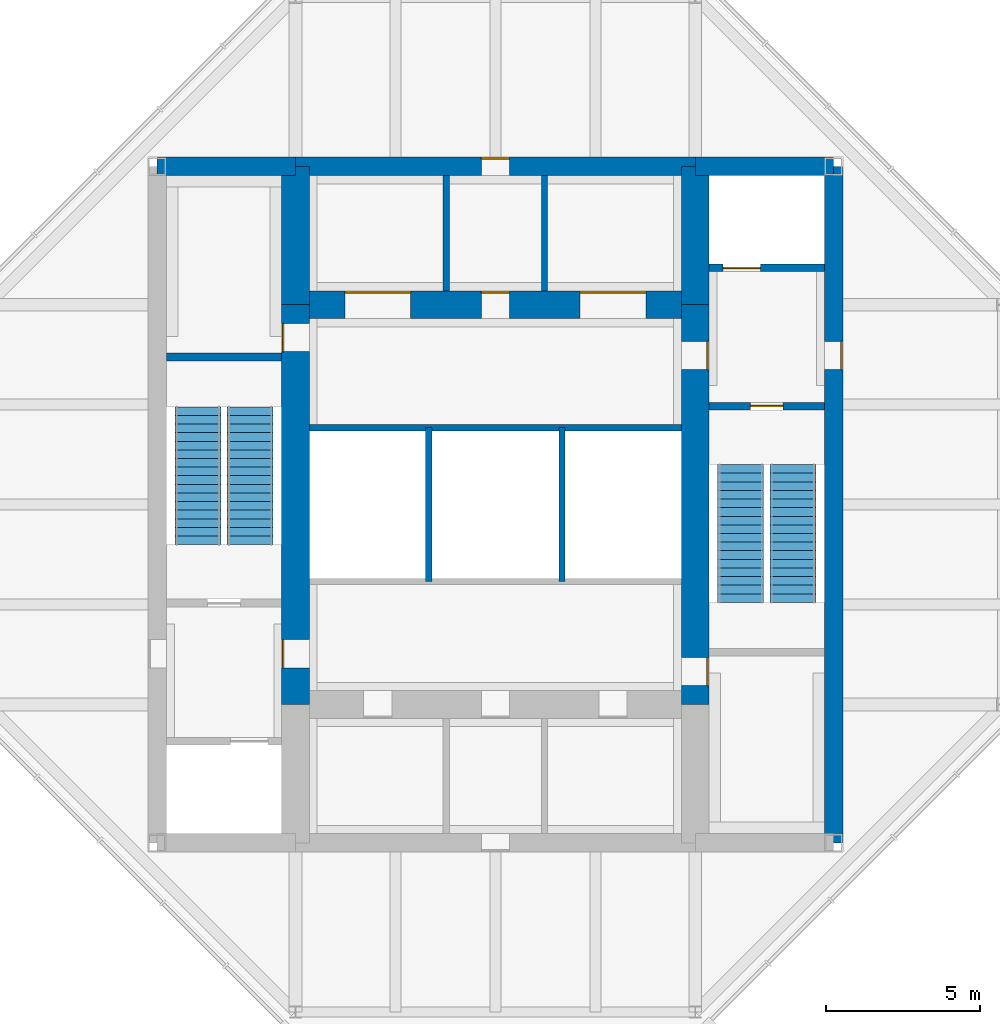
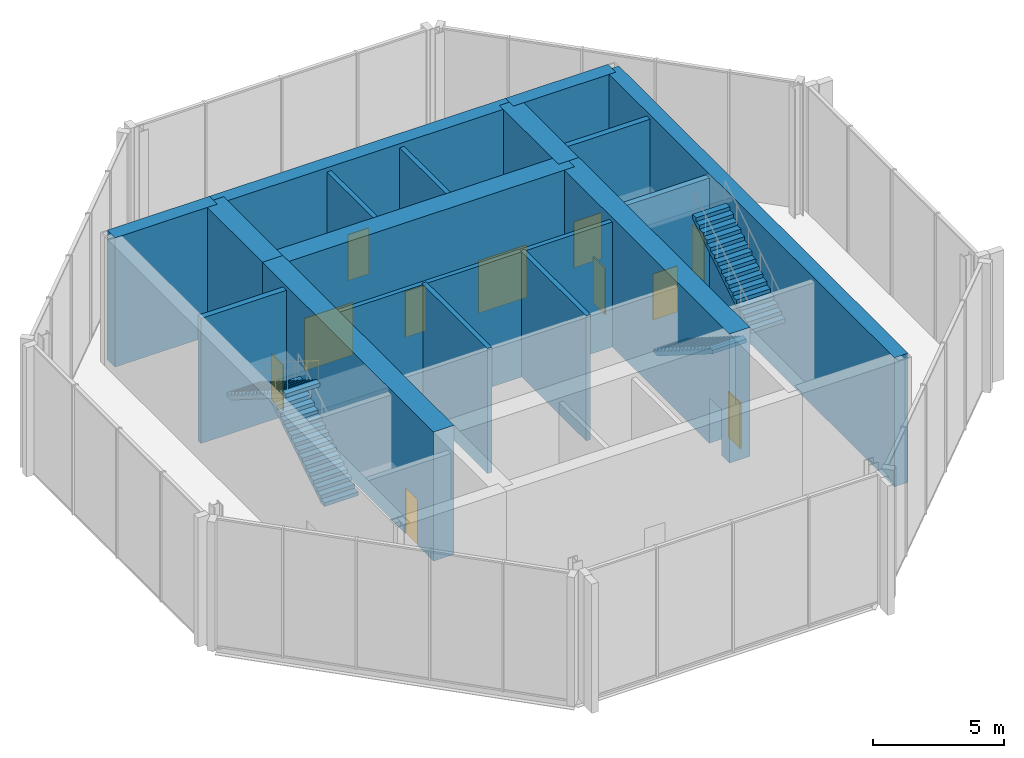
# One storey, part 5 of 6: 17 walls, 11 doors, 4 stair flights, 11 openings, 2 elements without a shape of their own.
"""IFC4 building model written with IfcOpenShell, lengths in metres."""

from ifc_helpers import new_model, si_unit, direction, frame, frame_2d, origin, place, context, subcontext, project, spatial, polyline, rectangle, outline, extrude, material, layer, layer_set, type_object, element, fill, aggregate, save


model = new_model("IFC4")

# Units and contexts
model_context = context("Model", 3, precision=1e-05, world=origin(), true_north=direction((0.0, 1.0)))
body_context = subcontext(model_context, "Body", "Model", "MODEL_VIEW")
ifc_project = project(units=[si_unit("LENGTHUNIT", "METRE"), si_unit("AREAUNIT", "SQUARE_METRE"), si_unit("VOLUMEUNIT", "CUBIC_METRE"), si_unit("PLANEANGLEUNIT", "RADIAN"), si_unit("MASSUNIT", "GRAM", prefix="KILO")], contexts=[model_context])

# Site, building, storey
site_placement = place(None, origin())
site = spatial("IfcSite", under=ifc_project, at=site_placement, CompositionType="ELEMENT")
building_placement = place(site_placement, origin())
building = spatial("IfcBuilding", under=site, at=building_placement, Name="Trevanion Tower", CompositionType="ELEMENT")
storey_placement = place(building_placement, frame((0.0, 0.0, 304.199951171875)))
storey = spatial("IfcBuildingStorey", under=building, at=storey_placement, Name="L75", CompositionType="ELEMENT", Elevation=304.199951171875)

# Wall, opening, door
ifc_material_1 = material(Name="Concrete 10,000 psi", Category="concrete")
ifc_layer_1 = layer(ifc_material_1, 0.60009765625)
ifc_layer_set_1 = layer_set([ifc_layer_1], Name="CW1 core wall 600")
wall_type_1 = type_object("IfcWallType", Name="CW1 core wall 600", PredefinedType="SHEAR", material=ifc_layer_set_1)
wall_1_placement = place(storey_placement, frame((11.0, -11.0, 0.0), z_axis=(0.0, 0.0, 1.0), x_axis=(0.0, 1.0, 0.0)))
wall_1 = element("IfcWall", 1, at=wall_1_placement, inside=storey, type_object=wall_type_1, Name="CW1 CE L75", PredefinedType="SHEAR", context=body_context, shape_type="SweptSolid", body=[
    extrude(rectangle(XDim=22.0, YDim=0.60009765625, at=frame_2d((11.0, 0.0))), origin(), (0.0, 0.0, 1.0), 6.0),
])
opening_1_placement = place(wall_1_placement, frame((15.392578125, 0.0, 0.0)))
opening_1 = element("IfcOpeningElement", 2, at=opening_1_placement, cuts=wall_1, Name="Opening 75-001", PredefinedType="OPENING", context=body_context, shape_type="SweptSolid", body=[
    extrude(rectangle(XDim=0.9150390625, YDim=2.134033203125, at=frame_2d((0.45751953125, 1.06689453125))), frame((0.0, 0.31005859375, 0.0), z_axis=(0.0, -1.0, 0.0), x_axis=(1.0, 0.0, 0.0)), (0.0, 0.0, 1.0), 0.6201171875),
])
ifc_material_2 = material(Name="Hollow metal, fire rated", Category="steel")
door_type_1 = type_object("IfcDoorType", Name="D3 fire lift lobby door", OperationType="SINGLE_SWING_RIGHT", PredefinedType="DOOR", material=ifc_material_2)
door_1_placement = place(opening_1_placement, origin())
door_1 = element("IfcDoor", 3, at=door_1_placement, inside=storey, type_object=door_type_1, Name="Door 75-001", OperationType="SINGLE_SWING_RIGHT", OverallHeight=2.134033203125, OverallWidth=0.9150390625, PredefinedType="DOOR", context=body_context, shape_type="SweptSolid", body=[
    extrude(rectangle(XDim=0.9150390625, YDim=2.134033203125, at=frame_2d((0.45751953125, 1.06689453125))), frame((0.0, -0.22509765625, 0.0), z_axis=(0.0, -1.0, 0.0), x_axis=(1.0, 0.0, 0.0)), (0.0, 0.0, 1.0), 0.050048828125),
])
fill(opening_1, door_1)

# Wall
wall_2_placement = place(storey_placement, frame((11.0, 11.0, 0.0), z_axis=(0.0, 0.0, 1.0), x_axis=(-1.0, 0.0, 0.0)))
element("IfcWall", 4, at=wall_2_placement, inside=storey, type_object=wall_type_1, Name="CW1 CN1 L75", PredefinedType="SHEAR", context=body_context, shape_type="SweptSolid", body=[
    extrude(rectangle(XDim=4.5, YDim=0.60009765625, at=frame_2d((2.25, 0.0))), origin(), (0.0, 0.0, 1.0), 6.0),
])

# Wall, opening, door
wall_3_placement = place(storey_placement, frame((6.5, 11.0, 0.0), z_axis=(0.0, 0.0, 1.0), x_axis=(-1.0, 0.0, 0.0)))
wall_3 = element("IfcWall", 5, at=wall_3_placement, inside=storey, type_object=wall_type_1, Name="CW1 CN2 L75", PredefinedType="SHEAR", context=body_context, shape_type="SweptSolid", body=[
    extrude(rectangle(XDim=13.0, YDim=0.60009765625, at=frame_2d((6.5, 0.0))), origin(), (0.0, 0.0, 1.0), 6.0),
])
opening_2_placement = place(wall_3_placement, frame((6.04248046875, 0.0, 0.0)))
opening_2 = element("IfcOpeningElement", 6, at=opening_2_placement, cuts=wall_3, Name="Opening 75-012", PredefinedType="OPENING", context=body_context, shape_type="SweptSolid", body=[
    extrude(rectangle(XDim=0.9150390625, YDim=2.134033203125, at=frame_2d((0.45751953125, 1.06689453125))), frame((0.0, 0.31005859375, 0.0), z_axis=(0.0, -1.0, 0.0), x_axis=(1.0, 0.0, 0.0)), (0.0, 0.0, 1.0), 0.6201171875),
])
door_2_placement = place(opening_2_placement, origin())
door_2 = element("IfcDoor", 7, at=door_2_placement, inside=storey, type_object=door_type_1, Name="Door 75-012", OperationType="SINGLE_SWING_RIGHT", OverallHeight=2.134033203125, OverallWidth=0.9150390625, PredefinedType="DOOR", context=body_context, shape_type="SweptSolid", body=[
    extrude(rectangle(XDim=0.9150390625, YDim=2.134033203125, at=frame_2d((0.45751953125, 1.06689453125))), frame((0.0, -0.22509765625, 0.0), z_axis=(0.0, -1.0, 0.0), x_axis=(1.0, 0.0, 0.0)), (0.0, 0.0, 1.0), 0.050048828125),
])
fill(opening_2, door_2)

# Wall
wall_4_placement = place(storey_placement, frame((-6.5, 11.0, 0.0), z_axis=(0.0, 0.0, 1.0), x_axis=(-1.0, 0.0, 0.0)))
element("IfcWall", 8, at=wall_4_placement, inside=storey, type_object=wall_type_1, Name="CW1 CN3 L75", PredefinedType="SHEAR", context=body_context, shape_type="SweptSolid", body=[
    extrude(rectangle(XDim=4.5, YDim=0.60009765625, at=frame_2d((2.25, 0.0))), origin(), (0.0, 0.0, 1.0), 6.0),
])

# Wall, openings, doors
ifc_material_3 = material(Name="Concrete 10,000 psi", Category="concrete")
ifc_layer_2 = layer(ifc_material_3, 0.89990234375)
ifc_layer_set_2 = layer_set([ifc_layer_2], Name="CW2 core wall 900")
wall_type_2 = type_object("IfcWallType", Name="CW2 core wall 900", PredefinedType="SHEAR", material=ifc_layer_set_2)
wall_5_placement = place(storey_placement, frame((6.5, -6.5, 0.0), z_axis=(0.0, 0.0, 1.0), x_axis=(0.0, 1.0, 0.0)))
wall_5 = element("IfcWall", 9, at=wall_5_placement, inside=storey, type_object=wall_type_2, Name="CW2 RE2 L75", PredefinedType="SHEAR", context=body_context, shape_type="SweptSolid", body=[
    extrude(rectangle(XDim=13.0, YDim=0.89990234375, at=frame_2d((6.5, 0.0))), origin(), (0.0, 0.0, 1.0), 6.0),
])
opening_3_placement = place(wall_5_placement, frame((10.892578125, 0.0, 0.0)))
opening_3 = element("IfcOpeningElement", 10, at=opening_3_placement, cuts=wall_5, Name="Opening 75-003", PredefinedType="OPENING", context=body_context, shape_type="SweptSolid", body=[
    extrude(rectangle(XDim=0.9150390625, YDim=2.134033203125, at=frame_2d((0.45751953125, 1.06689453125))), frame((0.0, 0.4599609375, 0.0), z_axis=(0.0, -1.0, 0.0), x_axis=(1.0, 0.0, 0.0)), (0.0, 0.0, 1.0), 0.919921875),
])
opening_4_placement = place(wall_5_placement, frame((0.610107421875, 0.0, 0.0)))
opening_4 = element("IfcOpeningElement", 11, at=opening_4_placement, cuts=wall_5, Name="Opening 75-009", PredefinedType="OPENING", context=body_context, shape_type="SweptSolid", body=[
    extrude(rectangle(XDim=0.9150390625, YDim=2.134033203125, at=frame_2d((0.45751953125, 1.06689453125))), frame((0.0, 0.4599609375, 0.0), z_axis=(0.0, -1.0, 0.0), x_axis=(1.0, 0.0, 0.0)), (0.0, 0.0, 1.0), 0.919921875),
])
door_3_placement = place(opening_3_placement, origin())
door_3 = element("IfcDoor", 12, at=door_3_placement, inside=storey, type_object=door_type_1, Name="Door 75-003", OperationType="SINGLE_SWING_RIGHT", OverallHeight=2.134033203125, OverallWidth=0.9150390625, PredefinedType="DOOR", context=body_context, shape_type="SweptSolid", body=[
    extrude(rectangle(XDim=0.9150390625, YDim=2.134033203125, at=frame_2d((0.45751953125, 1.06689453125))), frame((0.0, -0.375, 0.0), z_axis=(0.0, -1.0, 0.0), x_axis=(1.0, 0.0, 0.0)), (0.0, 0.0, 1.0), 0.050048828125),
])
fill(opening_3, door_3)
ifc_material_4 = material(Name="Hollow metal, fire rated", Category="steel")
door_type_2 = type_object("IfcDoorType", Name="D5 service room door", OperationType="SINGLE_SWING_RIGHT", PredefinedType="DOOR", material=ifc_material_4)
door_4_placement = place(opening_4_placement, origin())
door_4 = element("IfcDoor", 13, at=door_4_placement, inside=storey, type_object=door_type_2, Name="Door 75-009", OperationType="SINGLE_SWING_RIGHT", OverallHeight=2.134033203125, OverallWidth=0.9150390625, PredefinedType="DOOR", context=body_context, shape_type="SweptSolid", body=[
    extrude(rectangle(XDim=0.9150390625, YDim=2.134033203125, at=frame_2d((0.45751953125, 1.06689453125))), frame((0.0, -0.375, 0.0), z_axis=(0.0, -1.0, 0.0), x_axis=(1.0, 0.0, 0.0)), (0.0, 0.0, 1.0), 0.050048828125),
])
fill(opening_4, door_4)

# Walls
for number, where, z_axis, x_axis, name in (
    (14, (6.5, 6.5, 0.0), (0.0, 0.0, 1.0), (0.0, 1.0, 0.0), "CW2 RE3 L75"),
    (15, (-6.5, 11.0, 0.0), (0.0, 0.0, 1.0), (0.0, -1.0, 0.0), "CW2 RW1 L75"),
):
    element("IfcWall", number, at=place(storey_placement, frame(where, z_axis=z_axis, x_axis=x_axis)), inside=storey, type_object=wall_type_2, Name=name, PredefinedType="SHEAR", context=body_context, shape_type="SweptSolid", body=[
        extrude(rectangle(XDim=4.5, YDim=0.89990234375, at=frame_2d((2.25, 0.0))), origin(), (0.0, 0.0, 1.0), 6.0),
    ])

# Wall, openings, doors
wall_6_placement = place(storey_placement, frame((-6.5, 6.5, 0.0), z_axis=(0.0, 0.0, 1.0), x_axis=(0.0, -1.0, 0.0)))
wall_6 = element("IfcWall", 16, at=wall_6_placement, inside=storey, type_object=wall_type_2, Name="CW2 RW2 L75", PredefinedType="SHEAR", context=body_context, shape_type="SweptSolid", body=[
    extrude(rectangle(XDim=13.0, YDim=0.89990234375, at=frame_2d((6.5, 0.0))), origin(), (0.0, 0.0, 1.0), 6.0),
])
opening_5_placement = place(wall_6_placement, frame((10.892578125, 0.0, 0.0)))
opening_5 = element("IfcOpeningElement", 17, at=opening_5_placement, cuts=wall_6, Name="Opening 75-004", PredefinedType="OPENING", context=body_context, shape_type="SweptSolid", body=[
    extrude(rectangle(XDim=0.9150390625, YDim=2.134033203125, at=frame_2d((0.45751953125, 1.06689453125))), frame((0.0, 0.4599609375, 0.0), z_axis=(0.0, -1.0, 0.0), x_axis=(1.0, 0.0, 0.0)), (0.0, 0.0, 1.0), 0.919921875),
])
opening_6_placement = place(wall_6_placement, frame((0.610107421875, 0.0, 0.0)))
opening_6 = element("IfcOpeningElement", 18, at=opening_6_placement, cuts=wall_6, Name="Opening 75-010", PredefinedType="OPENING", context=body_context, shape_type="SweptSolid", body=[
    extrude(rectangle(XDim=0.9150390625, YDim=2.134033203125, at=frame_2d((0.45751953125, 1.06689453125))), frame((0.0, 0.4599609375, 0.0), z_axis=(0.0, -1.0, 0.0), x_axis=(1.0, 0.0, 0.0)), (0.0, 0.0, 1.0), 0.919921875),
])
door_5_placement = place(opening_5_placement, origin())
door_5 = element("IfcDoor", 19, at=door_5_placement, inside=storey, type_object=door_type_1, Name="Door 75-004", OperationType="SINGLE_SWING_RIGHT", OverallHeight=2.134033203125, OverallWidth=0.9150390625, PredefinedType="DOOR", context=body_context, shape_type="SweptSolid", body=[
    extrude(rectangle(XDim=0.9150390625, YDim=2.134033203125, at=frame_2d((0.45751953125, 1.06689453125))), frame((0.0, -0.375, 0.0), z_axis=(0.0, -1.0, 0.0), x_axis=(1.0, 0.0, 0.0)), (0.0, 0.0, 1.0), 0.050048828125),
])
fill(opening_5, door_5)
door_6_placement = place(opening_6_placement, origin())
door_6 = element("IfcDoor", 20, at=door_6_placement, inside=storey, type_object=door_type_2, Name="Door 75-010", OperationType="SINGLE_SWING_RIGHT", OverallHeight=2.134033203125, OverallWidth=0.9150390625, PredefinedType="DOOR", context=body_context, shape_type="SweptSolid", body=[
    extrude(rectangle(XDim=0.9150390625, YDim=2.134033203125, at=frame_2d((0.45751953125, 1.06689453125))), frame((0.0, -0.375, 0.0), z_axis=(0.0, -1.0, 0.0), x_axis=(1.0, 0.0, 0.0)), (0.0, 0.0, 1.0), 0.050048828125),
])
fill(opening_6, door_6)

wall_7_placement = place(storey_placement, frame((6.5, 6.5, 0.0), z_axis=(0.0, 0.0, 1.0), x_axis=(-1.0, 0.0, 0.0)))
wall_7 = element("IfcWall", 21, at=wall_7_placement, inside=storey, type_object=wall_type_2, Name="CW2 RN L75", PredefinedType="SHEAR", context=body_context, shape_type="SweptSolid", body=[
    extrude(rectangle(XDim=13.0, YDim=0.89990234375, at=frame_2d((6.5, 0.0))), origin(), (0.0, 0.0, 1.0), 6.0),
])
opening_7_placement = place(wall_7_placement, frame((6.04248046875, 0.0, 0.0)))
opening_7 = element("IfcOpeningElement", 22, at=opening_7_placement, cuts=wall_7, Name="Opening 75-011", PredefinedType="OPENING", context=body_context, shape_type="SweptSolid", body=[
    extrude(rectangle(XDim=0.9150390625, YDim=2.134033203125, at=frame_2d((0.45751953125, 1.06689453125))), frame((0.0, 0.4599609375, 0.0), z_axis=(0.0, -1.0, 0.0), x_axis=(1.0, 0.0, 0.0)), (0.0, 0.0, 1.0), 0.919921875),
])
opening_8_placement = place(wall_7_placement, frame((9.258056640625, 0.0, 0.0)))
opening_8 = element("IfcOpeningElement", 23, at=opening_8_placement, cuts=wall_7, Name="Opening 75-013", PredefinedType="OPENING", context=body_context, shape_type="SweptSolid", body=[
    extrude(rectangle(XDim=2.134033203125, YDim=2.43798828125, at=frame_2d((1.06689453125, 1.218994140625))), frame((0.0, 0.4599609375, 0.0), z_axis=(0.0, -1.0, 0.0), x_axis=(1.0, 0.0, 0.0)), (0.0, 0.0, 1.0), 0.919921875),
])
opening_9_placement = place(wall_7_placement, frame((1.60791015625, 0.0, 0.0)))
opening_9 = element("IfcOpeningElement", 24, at=opening_9_placement, cuts=wall_7, Name="Opening 75-014", PredefinedType="OPENING", context=body_context, shape_type="SweptSolid", body=[
    extrude(rectangle(XDim=2.134033203125, YDim=2.43798828125, at=frame_2d((1.06689453125, 1.218994140625))), frame((0.0, 0.4599609375, 0.0), z_axis=(0.0, -1.0, 0.0), x_axis=(1.0, 0.0, 0.0)), (0.0, 0.0, 1.0), 0.919921875),
])
ifc_material_5 = material(Name="Hollow metal, fire rated", Category="steel")
door_type_3 = type_object("IfcDoorType", Name="D15 plant room equipment double door", OperationType="DOUBLE_DOOR_SINGLE_SWING", PredefinedType="DOOR", material=ifc_material_5)
door_7_placement = place(opening_8_placement, origin())
door_7 = element("IfcDoor", 25, at=door_7_placement, inside=storey, type_object=door_type_3, Name="Door 75-013", OperationType="DOUBLE_DOOR_SINGLE_SWING", OverallHeight=2.43798828125, OverallWidth=2.134033203125, PredefinedType="DOOR", context=body_context, shape_type="SweptSolid", body=[
    extrude(rectangle(XDim=2.134033203125, YDim=2.43798828125, at=frame_2d((1.06689453125, 1.218994140625))), frame((0.0, -0.375, 0.0), z_axis=(0.0, -1.0, 0.0), x_axis=(1.0, 0.0, 0.0)), (0.0, 0.0, 1.0), 0.050048828125),
])
fill(opening_8, door_7)
door_8_placement = place(opening_9_placement, origin())
door_8 = element("IfcDoor", 26, at=door_8_placement, inside=storey, type_object=door_type_3, Name="Door 75-014", OperationType="DOUBLE_DOOR_SINGLE_SWING", OverallHeight=2.43798828125, OverallWidth=2.134033203125, PredefinedType="DOOR", context=body_context, shape_type="SweptSolid", body=[
    extrude(rectangle(XDim=2.134033203125, YDim=2.43798828125, at=frame_2d((1.06689453125, 1.218994140625))), frame((0.0, -0.375, 0.0), z_axis=(0.0, -1.0, 0.0), x_axis=(1.0, 0.0, 0.0)), (0.0, 0.0, 1.0), 0.050048828125),
])
fill(opening_9, door_8)
door_9_placement = place(opening_7_placement, origin())
door_9 = element("IfcDoor", 27, at=door_9_placement, inside=storey, type_object=door_type_1, Name="Door 75-011", OperationType="SINGLE_SWING_RIGHT", OverallHeight=2.134033203125, OverallWidth=0.9150390625, PredefinedType="DOOR", context=body_context, shape_type="SweptSolid", body=[
    extrude(rectangle(XDim=0.9150390625, YDim=2.134033203125, at=frame_2d((0.45751953125, 1.06689453125))), frame((0.0, -0.375, 0.0), z_axis=(0.0, -1.0, 0.0), x_axis=(1.0, 0.0, 0.0)), (0.0, 0.0, 1.0), 0.050048828125),
])
fill(opening_7, door_9)

# Walls
ifc_material_6 = material(Name="Concrete masonry, grouted", Category="masonry")
ifc_layer_3 = layer(ifc_material_6, 0.199951171875)
ifc_layer_set_3 = layer_set([ifc_layer_3], Name="PT2 partition 200 1 HR")
wall_type_3 = type_object("IfcWallType", Name="PT2 partition 200 1 HR", PredefinedType="PARTITIONING", material=ifc_layer_set_3)
wall_8_placement = place(storey_placement, frame((-6.050048828125, 2.5, 0.0), z_axis=(0.0, 0.0, 1.0), x_axis=(1.0, 0.0, 0.0)))
element("IfcWall", 28, at=wall_8_placement, inside=storey, type_object=wall_type_3, Name="PT2 L75 CP1", PredefinedType="PARTITIONING", context=body_context, shape_type="SweptSolid", body=[
    extrude(rectangle(XDim=12.10009765625, YDim=0.199951171875, at=frame_2d((6.050048828125, 0.0))), origin(), (0.0, 0.0, 1.0), 5.81005859375),
])
for number, where, z_axis, x_axis, name in (
    (29, (-1.60009765625, 6.949951171875, 0.0), (0.0, 0.0, 1.0), (0.0, 1.0, 0.0), "PT2 L75 CNP1"),
    (30, (1.60009765625, 6.949951171875, 0.0), (0.0, 0.0, 1.0), (0.0, 1.0, 0.0), "PT2 L75 CNP2"),
):
    element("IfcWall", number, at=place(storey_placement, frame(where, z_axis=z_axis, x_axis=x_axis)), inside=storey, type_object=wall_type_3, Name=name, PredefinedType="PARTITIONING", context=body_context, shape_type="SweptSolid", body=[
        extrude(rectangle(XDim=3.75, YDim=0.199951171875, at=frame_2d((1.875, 0.0))), origin(), (0.0, 0.0, 1.0), 5.81005859375),
    ])
ifc_material_7 = material(Name="Concrete masonry, grouted", Category="masonry")
ifc_layer_4 = layer(ifc_material_7, 0.199951171875)
ifc_layer_set_4 = layer_set([ifc_layer_4], Name="PT2 partition 200 2 HR")
wall_type_4 = type_object("IfcWallType", Name="PT2 partition 200 2 HR", PredefinedType="PARTITIONING", material=ifc_layer_set_4)
for number, where, z_axis, x_axis, name in (
    (31, (-2.166748046875, -2.5, 0.0), (0.0, 0.0, 1.0), (0.0, 1.0, 0.0), "PT2 L75 MS0"),
    (32, (2.166748046875, -2.5, 0.0), (0.0, 0.0, 1.0), (0.0, 1.0, 0.0), "PT2 L75 MS1"),
):
    element("IfcWall", number, at=place(storey_placement, frame(where, z_axis=z_axis, x_axis=x_axis)), inside=storey, type_object=wall_type_4, Name=name, PredefinedType="PARTITIONING", context=body_context, shape_type="SweptSolid", body=[
        extrude(rectangle(XDim=5.0, YDim=0.199951171875, at=frame_2d((2.5, 0.0))), origin(), (0.0, 0.0, 1.0), 5.81005859375),
    ])

# Wall, opening, door
ifc_material_8 = material(Name="Concrete masonry, grouted, two-hour", Category="masonry")
ifc_layer_5 = layer(ifc_material_8, 0.25)
ifc_layer_set_5 = layer_set([ifc_layer_5], Name="PT3 partition 250 2 HR")
wall_type_5 = type_object("IfcWallType", Name="PT3 partition 250 2 HR", PredefinedType="PARTITIONING", material=ifc_layer_set_5)
wall_9_placement = place(storey_placement, frame((6.949951171875, 7.699951171875, 0.0), z_axis=(0.0, 0.0, 1.0), x_axis=(1.0, 0.0, 0.0)))
wall_9 = element("IfcWall", 33, at=wall_9_placement, inside=storey, type_object=wall_type_5, Name="PT3 L75 EP3", PredefinedType="PARTITIONING", context=body_context, shape_type="SweptSolid", body=[
    extrude(rectangle(XDim=3.75, YDim=0.25, at=frame_2d((1.875, 0.0))), origin(), (0.0, 0.0, 1.0), 5.81005859375),
])
opening_10_placement = place(wall_9_placement, frame((0.449951171875, 0.0, 0.0)))
opening_10 = element("IfcOpeningElement", 34, at=opening_10_placement, cuts=wall_9, Name="Opening 75-007", PredefinedType="OPENING", context=body_context, shape_type="SweptSolid", body=[
    extrude(rectangle(XDim=1.218994140625, YDim=2.134033203125, at=frame_2d((0.609375, 1.06689453125))), frame((0.0, 0.135009765625, 0.0), z_axis=(0.0, -1.0, 0.0), x_axis=(1.0, 0.0, 0.0)), (0.0, 0.0, 1.0), 0.27001953125),
])
ifc_material_9 = material(Name="Stainless steel, fire rated", Category="steel")
door_type_4 = type_object("IfcDoorType", Name="LD2 fire service lift landing door", OperationType="SLIDING_TO_LEFT", PredefinedType="DOOR", material=ifc_material_9)
door_10_placement = place(opening_10_placement, origin())
door_10 = element("IfcDoor", 35, at=door_10_placement, inside=storey, type_object=door_type_4, Name="Door 75-007", OperationType="SLIDING_TO_LEFT", OverallHeight=2.134033203125, OverallWidth=1.218994140625, PredefinedType="DOOR", context=body_context, shape_type="SweptSolid", body=[
    extrude(rectangle(XDim=1.218994140625, YDim=2.134033203125, at=frame_2d((0.609375, 1.06689453125))), frame((0.0, 0.02490234375, 0.0), z_axis=(0.0, -1.0, 0.0), x_axis=(1.0, 0.0, 0.0)), (0.0, 0.0, 1.0), 0.050048828125),
])
fill(opening_10, door_10)

# Wall
ifc_material_10 = material(Name="Reinforced masonry, fully grouted", Category="masonry")
ifc_layer_6 = layer(ifc_material_10, 0.25)
ifc_layer_set_6 = layer_set([ifc_layer_6], Name="SW1 stair shaft wall 250")
wall_type_6 = type_object("IfcWallType", Name="SW1 stair shaft wall 250", PredefinedType="SOLIDWALL", material=ifc_layer_set_6)
wall_10_placement = place(storey_placement, frame((-6.949951171875, 4.800048828125, 0.0), z_axis=(0.0, 0.0, 1.0), x_axis=(-1.0, 0.0, 0.0)))
element("IfcWall", 36, at=wall_10_placement, inside=storey, type_object=wall_type_6, Name="SW1 L75 WP1", PredefinedType="SOLIDWALL", context=body_context, shape_type="SweptSolid", body=[
    extrude(rectangle(XDim=3.75, YDim=0.25, at=frame_2d((1.875, 0.0))), origin(), (0.0, 0.0, 1.0), 5.81005859375),
])

# Wall, opening, door
wall_11_placement = place(storey_placement, frame((6.949951171875, 3.199951171875, 0.0), z_axis=(0.0, 0.0, 1.0), x_axis=(1.0, 0.0, 0.0)))
wall_11 = element("IfcWall", 37, at=wall_11_placement, inside=storey, type_object=wall_type_6, Name="SW1 L75 EP2", PredefinedType="SOLIDWALL", context=body_context, shape_type="SweptSolid", body=[
    extrude(rectangle(XDim=3.75, YDim=0.25, at=frame_2d((1.875, 0.0))), origin(), (0.0, 0.0, 1.0), 5.81005859375),
])
opening_11_placement = place(wall_11_placement, frame((1.341552734375, 0.0, 0.0)))
opening_11 = element("IfcOpeningElement", 38, at=opening_11_placement, cuts=wall_11, Name="Opening 75-005", PredefinedType="OPENING", context=body_context, shape_type="SweptSolid", body=[
    extrude(rectangle(XDim=1.06689453125, YDim=2.134033203125, at=frame_2d((0.533447265625, 1.06689453125))), frame((0.0, 0.135009765625, 0.0), z_axis=(0.0, -1.0, 0.0), x_axis=(1.0, 0.0, 0.0)), (0.0, 0.0, 1.0), 0.27001953125),
])
ifc_material_11 = material(Name="Hollow metal, fire rated", Category="steel")
door_type_5 = type_object("IfcDoorType", Name="D2 exit stair door", OperationType="SINGLE_SWING_LEFT", PredefinedType="DOOR", material=ifc_material_11)
door_11_placement = place(opening_11_placement, origin())
door_11 = element("IfcDoor", 39, at=door_11_placement, inside=storey, type_object=door_type_5, Name="Door 75-005", OperationType="SINGLE_SWING_LEFT", OverallHeight=2.134033203125, OverallWidth=1.06689453125, PredefinedType="DOOR", context=body_context, shape_type="SweptSolid", body=[
    extrude(rectangle(XDim=1.06689453125, YDim=2.134033203125, at=frame_2d((0.533447265625, 1.06689453125))), frame((0.0, 0.02490234375, 0.0), z_axis=(0.0, -1.0, 0.0), x_axis=(1.0, 0.0, 0.0)), (0.0, 0.0, 1.0), 0.050048828125),
])
fill(opening_11, door_11)

# Stair, stair flights
ifc_material_12 = material(Name="Concrete 5,000 psi on steel stringers", Category="concrete")
stair_type = type_object("IfcStairType", Name="ST stair", PredefinedType="HALF_TURN_STAIR", material=ifc_material_12)
stair_1_placement = place(storey_placement, origin())
stair_1 = element("IfcStair", 40, at=stair_1_placement, inside=storey, type_object=stair_type, Name="ST1 L75", PredefinedType="HALF_TURN_STAIR")
ifc_material_13 = material(Name="Concrete 5,000 psi in steel pan", Category="concrete")
stair_flight_type = type_object("IfcStairFlightType", Name="STF stair flight", PredefinedType="STRAIGHT", material=ifc_material_13)
stair_flight_1_placement = place(storey_placement, frame((7.9775390625, 1.300048828125, 0.0), z_axis=(0.0, 0.0, 1.0), x_axis=(0.0, -1.0, 0.0)))
stair_flight_1 = element("IfcStairFlight", 41, at=stair_flight_1_placement, type_object=stair_flight_type, Name="ST1 flight 1", NumberOfRisers=17, NumberOfTreads=16, PredefinedType="STRAIGHT", RiserHeight=0.176470588, TreadLength=0.28, context=body_context, shape_type="SweptSolid", body=[
    extrude(outline(polyline([(0.0, 0.0), (0.0, 0.176513671875), (0.280029296875, 0.176513671875), (0.280029296875, 0.35302734375), (0.56005859375, 0.35302734375), (0.56005859375, 0.529296875), (0.840087890625, 0.529296875), (0.840087890625, 0.705810546875), (1.1201171875, 0.705810546875), (1.1201171875, 0.88232421875), (1.39990234375, 0.88232421875), (1.39990234375, 1.058837890625), (1.679931640625, 1.058837890625), (1.679931640625, 1.2353515625), (1.9599609375, 1.2353515625), (1.9599609375, 1.411865234375), (2.239990234375, 1.411865234375), (2.239990234375, 1.588134765625), (2.52001953125, 1.588134765625), (2.52001953125, 1.7646484375), (2.800048828125, 1.7646484375), (2.800048828125, 1.941162109375), (3.080078125, 1.941162109375), (3.080078125, 2.11767578125), (3.360107421875, 2.11767578125), (3.360107421875, 2.294189453125), (3.639892578125, 2.294189453125), (3.639892578125, 2.470703125), (3.919921875, 2.470703125), (3.919921875, 2.64697265625), (4.199951171875, 2.64697265625), (4.199951171875, 2.823486328125), (4.47998046875, 2.823486328125), (4.47998046875, 3.0), (4.47998046875, 2.646240234375), (0.28125, 0.0), (0.0, 0.0)])), frame((0.0, 0.74755859375, 0.0), z_axis=(0.0, -1.0, 0.0), x_axis=(1.0, 0.0, 0.0)), (0.0, 0.0, 1.0), 1.4951171875),
])
stair_flight_2_placement = place(storey_placement, frame((9.672607421875, -3.179931640625, 3.0), z_axis=(0.0, 0.0, 1.0), x_axis=(0.0, 1.0, 0.0)))
stair_flight_2 = element("IfcStairFlight", 42, at=stair_flight_2_placement, type_object=stair_flight_type, Name="ST1 flight 2", NumberOfRisers=17, NumberOfTreads=16, PredefinedType="STRAIGHT", RiserHeight=0.176470588, TreadLength=0.28, context=body_context, shape_type="SweptSolid", body=[
    extrude(outline(polyline([(0.0, 0.0), (0.0, 0.176513671875), (0.280029296875, 0.176513671875), (0.280029296875, 0.35302734375), (0.56005859375, 0.35302734375), (0.56005859375, 0.529296875), (0.840087890625, 0.529296875), (0.840087890625, 0.705810546875), (1.1201171875, 0.705810546875), (1.1201171875, 0.88232421875), (1.39990234375, 0.88232421875), (1.39990234375, 1.058837890625), (1.679931640625, 1.058837890625), (1.679931640625, 1.2353515625), (1.9599609375, 1.2353515625), (1.9599609375, 1.411865234375), (2.239990234375, 1.411865234375), (2.239990234375, 1.588134765625), (2.52001953125, 1.588134765625), (2.52001953125, 1.7646484375), (2.800048828125, 1.7646484375), (2.800048828125, 1.941162109375), (3.080078125, 1.941162109375), (3.080078125, 2.11767578125), (3.360107421875, 2.11767578125), (3.360107421875, 2.294189453125), (3.639892578125, 2.294189453125), (3.639892578125, 2.470703125), (3.919921875, 2.470703125), (3.919921875, 2.64697265625), (4.199951171875, 2.64697265625), (4.199951171875, 2.823486328125), (4.47998046875, 2.823486328125), (4.47998046875, 3.0), (4.47998046875, 2.646240234375), (0.28125, 0.0), (0.0, 0.0)])), frame((0.0, 0.74755859375, 0.0), z_axis=(0.0, -1.0, 0.0), x_axis=(1.0, 0.0, 0.0)), (0.0, 0.0, 1.0), 1.4951171875),
])
aggregate(stair_1, [stair_flight_1, stair_flight_2])

stair_2_placement = place(storey_placement, origin())
stair_2 = element("IfcStair", 43, at=stair_2_placement, inside=storey, type_object=stair_type, Name="ST2 L75", PredefinedType="HALF_TURN_STAIR")
stair_flight_3_placement = place(storey_placement, frame((-7.9775390625, -1.300048828125, 0.0), z_axis=(0.0, 0.0, 1.0), x_axis=(0.0, 1.0, 0.0)))
stair_flight_3 = element("IfcStairFlight", 44, at=stair_flight_3_placement, type_object=stair_flight_type, Name="ST2 flight 1", NumberOfRisers=17, NumberOfTreads=16, PredefinedType="STRAIGHT", RiserHeight=0.176470588, TreadLength=0.28, context=body_context, shape_type="SweptSolid", body=[
    extrude(outline(polyline([(0.0, 0.0), (0.0, 0.176513671875), (0.280029296875, 0.176513671875), (0.280029296875, 0.35302734375), (0.56005859375, 0.35302734375), (0.56005859375, 0.529296875), (0.840087890625, 0.529296875), (0.840087890625, 0.705810546875), (1.1201171875, 0.705810546875), (1.1201171875, 0.88232421875), (1.39990234375, 0.88232421875), (1.39990234375, 1.058837890625), (1.679931640625, 1.058837890625), (1.679931640625, 1.2353515625), (1.9599609375, 1.2353515625), (1.9599609375, 1.411865234375), (2.239990234375, 1.411865234375), (2.239990234375, 1.588134765625), (2.52001953125, 1.588134765625), (2.52001953125, 1.7646484375), (2.800048828125, 1.7646484375), (2.800048828125, 1.941162109375), (3.080078125, 1.941162109375), (3.080078125, 2.11767578125), (3.360107421875, 2.11767578125), (3.360107421875, 2.294189453125), (3.639892578125, 2.294189453125), (3.639892578125, 2.470703125), (3.919921875, 2.470703125), (3.919921875, 2.64697265625), (4.199951171875, 2.64697265625), (4.199951171875, 2.823486328125), (4.47998046875, 2.823486328125), (4.47998046875, 3.0), (4.47998046875, 2.646240234375), (0.28125, 0.0), (0.0, 0.0)])), frame((0.0, 0.74755859375, 0.0), z_axis=(0.0, -1.0, 0.0), x_axis=(1.0, 0.0, 0.0)), (0.0, 0.0, 1.0), 1.4951171875),
])
stair_flight_4_placement = place(storey_placement, frame((-9.672607421875, 3.179931640625, 3.0), z_axis=(0.0, 0.0, 1.0), x_axis=(0.0, -1.0, 0.0)))
stair_flight_4 = element("IfcStairFlight", 45, at=stair_flight_4_placement, type_object=stair_flight_type, Name="ST2 flight 2", NumberOfRisers=17, NumberOfTreads=16, PredefinedType="STRAIGHT", RiserHeight=0.176470588, TreadLength=0.28, context=body_context, shape_type="SweptSolid", body=[
    extrude(outline(polyline([(0.0, 0.0), (0.0, 0.176513671875), (0.280029296875, 0.176513671875), (0.280029296875, 0.35302734375), (0.56005859375, 0.35302734375), (0.56005859375, 0.529296875), (0.840087890625, 0.529296875), (0.840087890625, 0.705810546875), (1.1201171875, 0.705810546875), (1.1201171875, 0.88232421875), (1.39990234375, 0.88232421875), (1.39990234375, 1.058837890625), (1.679931640625, 1.058837890625), (1.679931640625, 1.2353515625), (1.9599609375, 1.2353515625), (1.9599609375, 1.411865234375), (2.239990234375, 1.411865234375), (2.239990234375, 1.588134765625), (2.52001953125, 1.588134765625), (2.52001953125, 1.7646484375), (2.800048828125, 1.7646484375), (2.800048828125, 1.941162109375), (3.080078125, 1.941162109375), (3.080078125, 2.11767578125), (3.360107421875, 2.11767578125), (3.360107421875, 2.294189453125), (3.639892578125, 2.294189453125), (3.639892578125, 2.470703125), (3.919921875, 2.470703125), (3.919921875, 2.64697265625), (4.199951171875, 2.64697265625), (4.199951171875, 2.823486328125), (4.47998046875, 2.823486328125), (4.47998046875, 3.0), (4.47998046875, 2.646240234375), (0.28125, 0.0), (0.0, 0.0)])), frame((0.0, 0.74755859375, 0.0), z_axis=(0.0, -1.0, 0.0), x_axis=(1.0, 0.0, 0.0)), (0.0, 0.0, 1.0), 1.4951171875),
])
aggregate(stair_2, [stair_flight_3, stair_flight_4])

save(model, "model.ifc")
